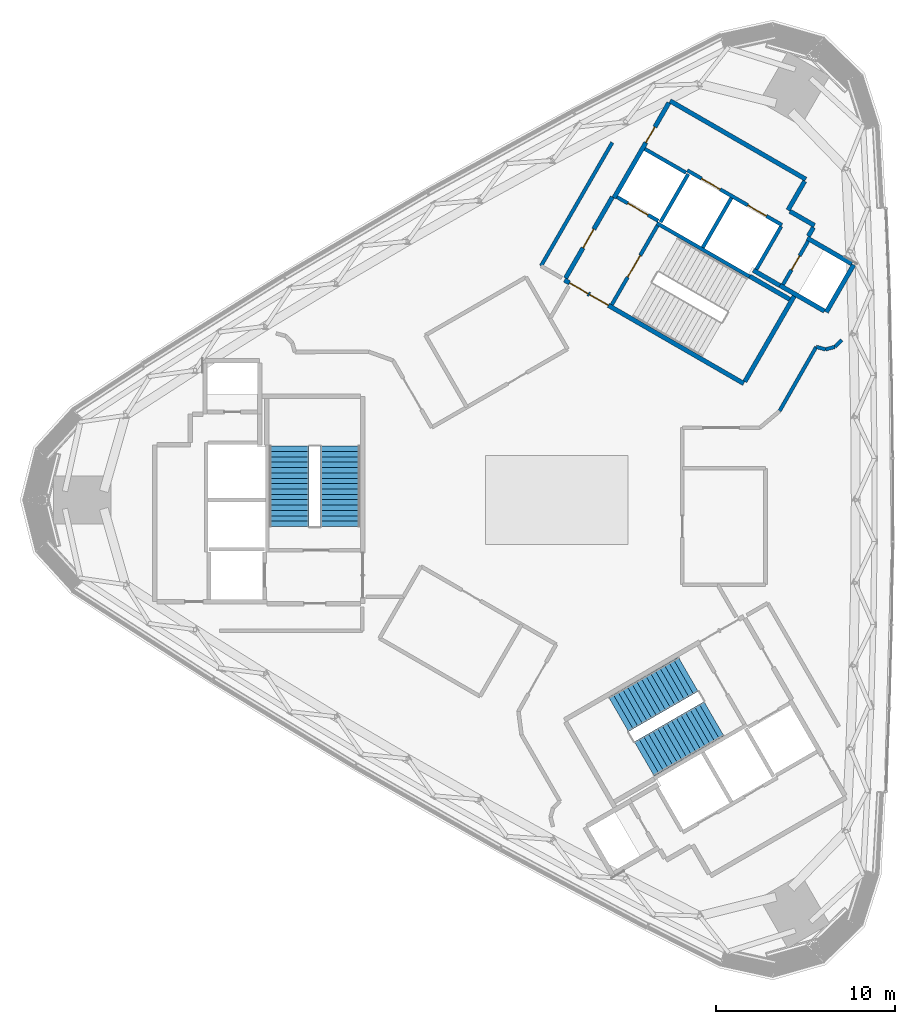
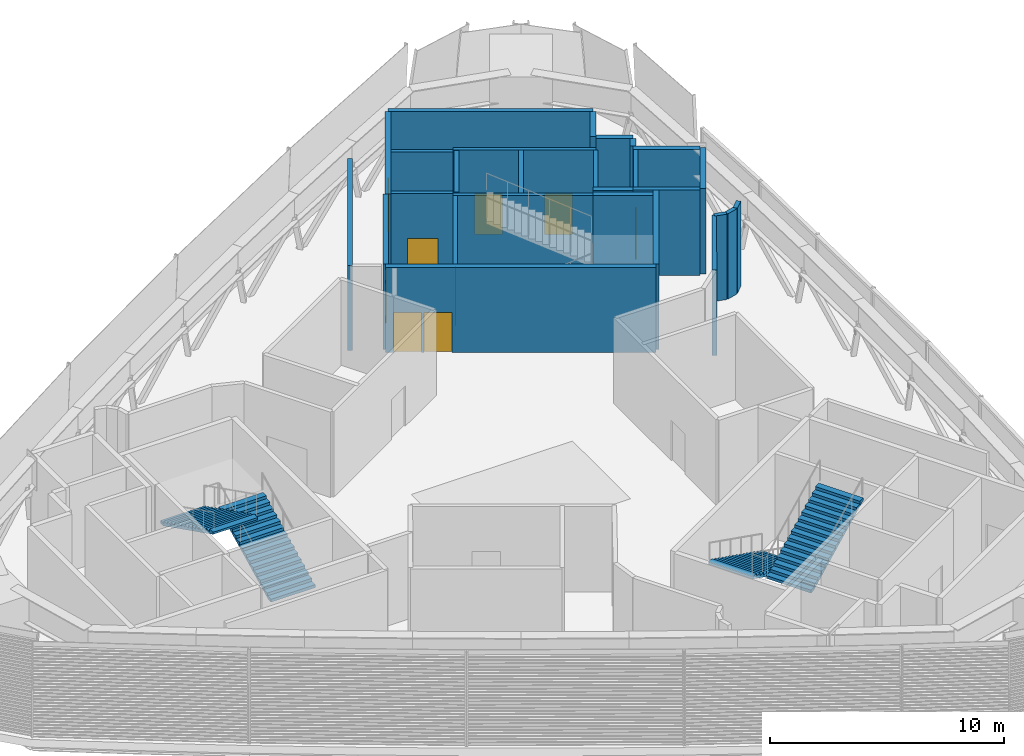
# One storey, part 13 of 18: 27 walls, 9 doors, 4 stair flights, 9 openings, 2 elements without a shape of their own.
"""IFC4 building model written with IfcOpenShell, lengths in metres."""

import ifcopenshell
import ifcopenshell.guid

model = None  # the IFC model being written
_history = None  # IfcOwnerHistory: only IFC2X3 demands one
_inside = {}  # id of a spatial element -> (the spatial element, [elements in it])
_under = {}  # id of a project, library or spatial element -> (it, [spatial elements below it])
_declared = {}  # id of a project -> (the project, [libraries it declares])
_typed = {}  # id of a type object -> (the type object, [elements of that type])
_made_of = {}  # id of a material, layer set ... -> (it, [elements and type objects made of it])


def new_model(schema):
    """Start an empty IFC model of exactly this schema.

    Asked for "IFC4X3", IfcOpenShell would pick the latest addendum, in which some entities
    have other attributes; the version numbers below select the first issue.
    IFC2X3 requires an IfcOwnerHistory on every rooted entity: one is made here for all.
    """
    global model, _history
    if schema == "IFC4X3":
        model = ifcopenshell.file(schema_version=(4, 3, 0, 0))
    else:
        model = ifcopenshell.file(schema=schema)
    _inside.clear()
    _under.clear()
    _declared.clear()
    _typed.clear()
    _made_of.clear()
    _history = None
    if model.schema == "IFC2X3":
        org = make("IfcOrganization", Name="unknown")
        user = make(
            "IfcPersonAndOrganization",
            ThePerson=make("IfcPerson", FamilyName="unknown"),
            TheOrganization=org,
        )
        app = make(
            "IfcApplication",
            ApplicationDeveloper=org,
            Version="unknown",
            ApplicationFullName="unknown",
            ApplicationIdentifier="unknown",
        )
        _history = make(
            "IfcOwnerHistory",
            OwningUser=user,
            OwningApplication=app,
            ChangeAction="ADDED",
            CreationDate=0,
        )
    return model


def make(cls, **values):
    """One entity of the class cls with the attributes given. An attribute that is None is left unset."""
    return model.create_entity(
        cls, **{name: value for name, value in values.items() if value is not None}
    )


def rooted(cls, **values):
    """An entity with a GlobalId (a new one), such as an element, a storey or a relation."""
    return make(cls, GlobalId=ifcopenshell.guid.new(), OwnerHistory=_history, **values)


def si_unit(unit_type, name, prefix=None):
    """IfcSIUnit, for example si_unit("LENGTHUNIT", "METRE", prefix="MILLI")."""
    return make("IfcSIUnit", UnitType=unit_type, Prefix=prefix, Name=name)


def assignment(units):
    """IfcUnitAssignment: the units of a project."""
    return None if units is None else make("IfcUnitAssignment", Units=units)


def point(xyz):
    """IfcCartesianPoint."""
    return None if xyz is None else make("IfcCartesianPoint", Coordinates=xyz)


def direction(xyz):
    """IfcDirection."""
    return None if xyz is None else make("IfcDirection", DirectionRatios=xyz)


def frame(location, z_axis=None, x_axis=None):
    """IfcAxis2Placement3D, a coordinate frame: its origin and axes. An axis left out is left unset."""
    return make(
        "IfcAxis2Placement3D",
        Location=point(location),
        Axis=direction(z_axis),
        RefDirection=direction(x_axis),
    )


def frame_2d(location, x_axis=None):
    """IfcAxis2Placement2D, a coordinate frame in the plane: its origin and x axis."""
    return make(
        "IfcAxis2Placement2D", Location=point(location), RefDirection=direction(x_axis)
    )


def origin():
    """The frame at (0, 0, 0) with its axes left unset."""
    return frame((0.0, 0.0, 0.0))


def place(relative_to, where):
    """IfcLocalPlacement: puts the frame where relative to a parent placement (None: the world)."""
    return make(
        "IfcLocalPlacement", PlacementRelTo=relative_to, RelativePlacement=where
    )


def context(
    kind, dimensions, precision=None, world=None, true_north=None, identifier=None
):
    """IfcGeometricRepresentationContext, for example the 3D "Model" context."""
    return make(
        "IfcGeometricRepresentationContext",
        ContextIdentifier=identifier,
        ContextType=kind,
        CoordinateSpaceDimension=dimensions,
        Precision=precision,
        WorldCoordinateSystem=world,
        TrueNorth=true_north,
    )


def subcontext(parent, identifier, kind, view, scale=None):
    """IfcGeometricRepresentationSubContext, for example "Body" below "Model"."""
    return make(
        "IfcGeometricRepresentationSubContext",
        ContextIdentifier=identifier,
        ContextType=kind,
        ParentContext=parent,
        TargetScale=scale,
        TargetView=view,
    )


def project(units=None, contexts=None):
    """IfcProject with its units and contexts."""
    return rooted(
        "IfcProject",
        Name="project",
        RepresentationContexts=contexts,
        UnitsInContext=assignment(units),
    )


def spatial(cls, under=None, at=None, **own):
    """A site, building, storey or space (cls), placed at a placement, below another one or the project."""
    s = rooted(cls, ObjectPlacement=at, **own)
    if under is not None:
        _under.setdefault(under.id(), (under, []))[1].append(s)
    return s


def polyline(points):
    """IfcPolyline through the points."""
    return make("IfcPolyline", Points=[point(p) for p in points])


def profile(cls, at=None, kind="AREA", **sizes):
    """A parametric profile (cls). Its sizes go by their IFC names, for example OverallWidth=200.0."""
    return make(cls, ProfileType=kind, Position=at, **sizes)


def rectangle(**sizes):
    """IfcRectangleProfileDef."""
    return profile("IfcRectangleProfileDef", **sizes)


def outline(outer, holes=None, kind="AREA"):
    """IfcArbitraryClosedProfileDef: a profile drawn as a closed curve; with holes, ...WithVoids."""
    if holes is None:
        return make("IfcArbitraryClosedProfileDef", ProfileType=kind, OuterCurve=outer)
    return make(
        "IfcArbitraryProfileDefWithVoids",
        ProfileType=kind,
        OuterCurve=outer,
        InnerCurves=holes,
    )


def extrude(swept, where, along, depth):
    """IfcExtrudedAreaSolid: the profile swept, set in the frame where, extruded along a direction by depth."""
    return make(
        "IfcExtrudedAreaSolid",
        SweptArea=swept,
        Position=where,
        ExtrudedDirection=direction(along),
        Depth=depth,
    )


def shape(context_of_items, identifier, shape_type, items):
    """IfcShapeRepresentation: the items that make up one representation, for example the "Body"."""
    return make(
        "IfcShapeRepresentation",
        ContextOfItems=context_of_items,
        RepresentationIdentifier=identifier,
        RepresentationType=shape_type,
        Items=items,
    )


def material(Name=None, Category=None):
    """IfcMaterial."""
    return make("IfcMaterial", Name=Name, Category=Category)


def layer(
    of_material, thickness, ventilated=None, Name=None, Category=None, Priority=None
):
    """IfcMaterialLayer: one layer of a wall or slab, of a material (None: an air gap)."""
    return make(
        "IfcMaterialLayer",
        Material=of_material,
        LayerThickness=thickness,
        IsVentilated=ventilated,
        Name=Name,
        Category=Category,
        Priority=Priority,
    )


def layer_set(layers, Name=None):
    """IfcMaterialLayerSet."""
    return make("IfcMaterialLayerSet", MaterialLayers=layers, LayerSetName=Name)


def made_of(thing, what):
    """Note that an element or type object is made of a material, layer set ...; save() writes the relation."""
    if what is not None:
        _made_of.setdefault(what.id(), (what, []))[1].append(thing)
    return thing


def type_object(cls, material=None, **own):
    """A type object (cls), such as IfcWallType, which elements share."""
    return made_of(rooted(cls, **own), material)


def element(
    cls,
    number,
    at=None,
    inside=None,
    cuts=None,
    type_object=None,
    material=None,
    context=None,
    identifier="Body",
    shape_type=None,
    held_by="IfcProductDefinitionShape",
    body=None,
    shapes=None,
    **own,
):
    """One element of the class cls, such as IfcWall. Its Tag is "e" and its number.

    at: its placement. inside: the storey or other place that contains it. cuts: it is an
    opening in that element (IfcRelVoidsElement). A single representation is given by context,
    identifier, shape_type and body (its items); several are given by shapes. held_by: the class
    of the entity that holds the representations. save() writes the other relations.
    """
    e = rooted(cls, Tag="e%d" % number, ObjectPlacement=at, **own)
    if body is not None:
        shapes = [shape(context, identifier, shape_type, body)]
    if shapes is not None:
        e.Representation = make(held_by, Representations=shapes)
    if inside is not None:
        _inside.setdefault(inside.id(), (inside, []))[1].append(e)
    if cuts is not None:
        rooted(
            "IfcRelVoidsElement", RelatingBuildingElement=cuts, RelatedOpeningElement=e
        )
    if type_object is not None:
        _typed.setdefault(type_object.id(), (type_object, []))[1].append(e)
    return made_of(e, material)


def fill(opening, filler):
    """IfcRelFillsElement: the door or window that sits in an opening."""
    return rooted(
        "IfcRelFillsElement",
        RelatingOpeningElement=opening,
        RelatedBuildingElement=filler,
    )


def aggregate(whole, parts):
    """IfcRelAggregates: a whole, such as a stair, and the parts it consists of."""
    return rooted("IfcRelAggregates", RelatingObject=whole, RelatedObjects=parts)


def save(model, path):
    """Write the relations noted so far, then the file.

    IfcRelAggregates (storeys below a building ...), IfcRelContainedInSpatialStructure (elements
    in a storey), IfcRelDefinesByType, IfcRelAssociatesMaterial and IfcRelDeclares: one each for
    every whole, place, type object, material and project.
    """
    for whole, parts in _under.values():
        aggregate(whole, parts)
    for where, things in _inside.values():
        rooted(
            "IfcRelContainedInSpatialStructure",
            RelatedElements=things,
            RelatingStructure=where,
        )
    for kind, things in _typed.values():
        rooted("IfcRelDefinesByType", RelatedObjects=things, RelatingType=kind)
    for what, things in _made_of.values():
        rooted("IfcRelAssociatesMaterial", RelatedObjects=things, RelatingMaterial=what)
    for by, libraries in _declared.values():
        rooted("IfcRelDeclares", RelatingContext=by, RelatedDefinitions=libraries)
    model.write(path)


model = new_model("IFC4")

# Units and contexts
model_context = context("Model", 3, precision=1e-05, world=origin(), true_north=direction((0.0, 1.0)))
body_context = subcontext(model_context, "Body", "Model", "MODEL_VIEW")
ifc_project = project(units=[si_unit("LENGTHUNIT", "METRE"), si_unit("AREAUNIT", "SQUARE_METRE"), si_unit("VOLUMEUNIT", "CUBIC_METRE"), si_unit("PLANEANGLEUNIT", "RADIAN"), si_unit("MASSUNIT", "GRAM", prefix="KILO")], contexts=[model_context])

# Site, building, storey
site_placement = place(None, origin())
site = spatial("IfcSite", under=ifc_project, at=site_placement, CompositionType="ELEMENT")
building_placement = place(site_placement, origin())
building = spatial("IfcBuilding", under=site, at=building_placement, Name="Tamra Quay Hotel Tower", CompositionType="ELEMENT")
storey_placement = place(building_placement, frame((0.0, 0.0, 211.60009765625)))
storey = spatial("IfcBuildingStorey", under=building, at=storey_placement, Name="L53", CompositionType="ELEMENT", Elevation=211.60009765625)

# Wall, openings, doors
ifc_material_1 = material(Name="Concrete M70", Category="concrete")
ifc_layer_1 = layer(ifc_material_1, 0.199951171875)
ifc_layer_set_1 = layer_set([ifc_layer_1], Name="Concrete M70 core wall 200")
wall_type_1 = type_object("IfcWallType", Name="Concrete M70 core wall 200", PredefinedType="SHEAR", material=ifc_layer_set_1)
wall_1_placement = place(storey_placement, frame((12.552490234375, 15.341552734375, 0.0), z_axis=(0.0, 0.0, 1.0), x_axis=(-0.866030299012, 0.499991521122, 0.0)))
wall_1 = element("IfcWall", 1, at=wall_1_placement, inside=storey, type_object=wall_type_1, Name="CW2", PredefinedType="SHEAR", context=body_context, shape_type="SweptSolid", body=[
    extrude(rectangle(XDim=6.10009765625, YDim=0.199951171875, at=frame_2d((3.050048828125, 0.0))), origin(), (0.0, 0.0, 1.0), 4.449951171875),
])
opening_1_placement = place(wall_1_placement, frame((1.0, 0.0, 0.0)))
opening_1 = element("IfcOpeningElement", 2, at=opening_1_placement, cuts=wall_1, Name="Opening LD", PredefinedType="OPENING", context=body_context, shape_type="SweptSolid", body=[
    extrude(rectangle(XDim=1.199951171875, YDim=2.10009765625, at=frame_2d((0.60009765625, 1.050048828125))), frame((0.0, 0.10986328125, 0.0), z_axis=(0.0, -1.0, 0.0), x_axis=(1.0, 0.0, 0.0)), (0.0, 0.0, 1.0), 0.219970703125),
])
opening_2_placement = place(wall_1_placement, frame((3.982177734375, 0.0, 0.0)))
opening_2 = element("IfcOpeningElement", 3, at=opening_2_placement, cuts=wall_1, Name="Opening LD", PredefinedType="OPENING", context=body_context, shape_type="SweptSolid", body=[
    extrude(rectangle(XDim=1.199951171875, YDim=2.10009765625, at=frame_2d((0.60009765625, 1.050048828125))), frame((0.0, 0.10986328125, 0.0), z_axis=(0.0, -1.0, 0.0), x_axis=(1.0, 0.0, 0.0)), (0.0, 0.0, 1.0), 0.219970703125),
])
ifc_material_2 = material(Name="Landing door LD 1200 double door sliding")
door_type_1 = type_object("IfcDoorType", Name="Landing door LD 1200 double door sliding", OperationType="DOUBLE_DOOR_SLIDING", PredefinedType="DOOR", material=ifc_material_2)
door_1_placement = place(opening_1_placement, origin())
door_1 = element("IfcDoor", 4, at=door_1_placement, inside=storey, type_object=door_type_1, Name="LD", OperationType="DOUBLE_DOOR_SLIDING", OverallHeight=2.10009765625, OverallWidth=1.199951171875, PredefinedType="DOOR", context=body_context, shape_type="SweptSolid", body=[
    extrude(rectangle(XDim=1.199951171875, YDim=2.10009765625, at=frame_2d((0.60009765625, 1.050048828125))), frame((0.0, 0.02490234375, 0.0), z_axis=(0.0, -1.0, 0.0), x_axis=(1.0, 0.0, 0.0)), (0.0, 0.0, 1.0), 0.050048828125),
])
fill(opening_1, door_1)
door_2_placement = place(opening_2_placement, origin())
door_2 = element("IfcDoor", 5, at=door_2_placement, inside=storey, type_object=door_type_1, Name="LD", OperationType="DOUBLE_DOOR_SLIDING", OverallHeight=2.10009765625, OverallWidth=1.199951171875, PredefinedType="DOOR", context=body_context, shape_type="SweptSolid", body=[
    extrude(rectangle(XDim=1.199951171875, YDim=2.10009765625, at=frame_2d((0.60009765625, 1.050048828125))), frame((0.0, 0.02490234375, 0.0), z_axis=(0.0, -1.0, 0.0), x_axis=(1.0, 0.0, 0.0)), (0.0, 0.0, 1.0), 0.050048828125),
])
fill(opening_2, door_2)

# Wall
wall_2_placement = place(storey_placement, frame((10.7431640625, 12.4599609375, 0.0), z_axis=(0.0, 0.0, 1.0), x_axis=(-0.866018848283, 0.500011354289, 0.0)))
element("IfcWall", 6, at=wall_2_placement, inside=storey, type_object=wall_type_1, Name="CW2", PredefinedType="SHEAR", context=body_context, shape_type="SweptSolid", body=[
    extrude(rectangle(XDim=5.973876953125, YDim=0.199951171875, at=frame_2d((2.98681640625, 0.0))), origin(), (0.0, 0.0, 1.0), 4.449951171875),
])

# Wall, opening, door
wall_3_placement = place(storey_placement, frame((3.056640625, 10.89453125, 0.0), z_axis=(0.0, 0.0, 1.0), x_axis=(0.500027839223, 0.866009330205, 0.0)))
wall_3 = element("IfcWall", 7, at=wall_3_placement, inside=storey, type_object=wall_type_1, Name="CW2", PredefinedType="SHEAR", context=body_context, shape_type="SweptSolid", body=[
    extrude(rectangle(XDim=5.097900390625, YDim=0.199951171875, at=frame_2d((2.548828125, 0.0))), origin(), (0.0, 0.0, 1.0), 4.449951171875),
])
opening_3_placement = place(wall_3_placement, frame((1.77392578125, 0.0, 0.0)))
opening_3 = element("IfcOpeningElement", 8, at=opening_3_placement, cuts=wall_3, Name="Opening FD2", PredefinedType="OPENING", context=body_context, shape_type="SweptSolid", body=[
    extrude(rectangle(XDim=1.39990234375, YDim=2.10009765625, at=frame_2d((0.699951171875, 1.050048828125))), frame((0.0, 0.10986328125, 0.0), z_axis=(0.0, -1.0, 0.0), x_axis=(1.0, 0.0, 0.0)), (0.0, 0.0, 1.0), 0.219970703125),
])
ifc_material_3 = material(Name="Core door FD2 1400x2100 LH")
door_type_2 = type_object("IfcDoorType", Name="Core door FD2 1400x2100 LH", OperationType="NOTDEFINED", PredefinedType="DOOR", material=ifc_material_3)
door_3_placement = place(opening_3_placement, origin())
door_3 = element("IfcDoor", 9, at=door_3_placement, inside=storey, type_object=door_type_2, Name="FD2", OperationType="SINGLE_SWING_LEFT", OverallHeight=2.10009765625, OverallWidth=1.39990234375, PredefinedType="DOOR", context=body_context, shape_type="SweptSolid", body=[
    extrude(rectangle(XDim=1.39990234375, YDim=2.10009765625, at=frame_2d((0.699951171875, 1.050048828125))), frame((0.0, 0.02490234375, 0.0), z_axis=(0.0, -1.0, 0.0), x_axis=(1.0, 0.0, 0.0)), (0.0, 0.0, 1.0), 0.050048828125),
])
fill(opening_3, door_3)

# Wall
wall_4_placement = place(storey_placement, frame((8.131591796875, 14.08447265625, 0.0), z_axis=(0.0, 0.0, 1.0), x_axis=(0.500030834389, 0.86600760081, 0.0)))
element("IfcWall", 10, at=wall_4_placement, inside=storey, type_object=wall_type_1, Name="CW2", PredefinedType="SHEAR", context=body_context, shape_type="SweptSolid", body=[
    extrude(rectangle(XDim=3.197998046875, YDim=0.199951171875, at=frame_2d((1.59912109375, 0.0))), origin(), (0.0, 0.0, 1.0), 4.449951171875),
])

# Wall, opening, door
wall_5_placement = place(storey_placement, frame((14.0078125, 14.442138671875, 0.0), z_axis=(0.0, 0.0, 1.0), x_axis=(-0.499986818241, -0.866033014143, 0.0)))
wall_5 = element("IfcWall", 11, at=wall_5_placement, inside=storey, type_object=wall_type_1, Name="CW2", PredefinedType="SHEAR", context=body_context, shape_type="SweptSolid", body=[
    extrude(rectangle(XDim=2.7978515625, YDim=0.199951171875, at=frame_2d((1.39892578125, 0.0))), origin(), (0.0, 0.0, 1.0), 4.449951171875),
])
opening_4_placement = place(wall_5_placement, frame((0.948974609375, 0.0, 0.0)))
opening_4 = element("IfcOpeningElement", 12, at=opening_4_placement, cuts=wall_5, Name="Opening D1", PredefinedType="OPENING", context=body_context, shape_type="SweptSolid", body=[
    extrude(rectangle(XDim=0.89990234375, YDim=2.10009765625, at=frame_2d((0.449951171875, 1.050048828125))), frame((0.0, 0.10986328125, 0.0), z_axis=(0.0, -1.0, 0.0), x_axis=(1.0, 0.0, 0.0)), (0.0, 0.0, 1.0), 0.219970703125),
])
ifc_material_4 = material(Name="Core door D1 900x2100 RH")
door_type_3 = type_object("IfcDoorType", Name="Core door D1 900x2100 RH", OperationType="NOTDEFINED", PredefinedType="DOOR", material=ifc_material_4)
door_4_placement = place(opening_4_placement, origin())
door_4 = element("IfcDoor", 13, at=door_4_placement, inside=storey, type_object=door_type_3, Name="D1", OperationType="SINGLE_SWING_RIGHT", OverallHeight=2.10009765625, OverallWidth=0.89990234375, PredefinedType="DOOR", context=body_context, shape_type="SweptSolid", body=[
    extrude(rectangle(XDim=0.89990234375, YDim=2.10009765625, at=frame_2d((0.449951171875, 1.050048828125))), frame((0.0, 0.02490234375, 0.0), z_axis=(0.0, -1.0, 0.0), x_axis=(1.0, 0.0, 0.0)), (0.0, 0.0, 1.0), 0.050048828125),
])
fill(opening_4, door_4)

# Walls
wall_6_placement = place(storey_placement, frame((12.50244140625, 15.2548828125, 0.0), z_axis=(0.0, 0.0, 1.0), x_axis=(-0.499965018551, -0.866045599391, 0.0)))
element("IfcWall", 14, at=wall_6_placement, inside=storey, type_object=wall_type_1, Name="CW2", PredefinedType="SHEAR", context=body_context, shape_type="SweptSolid", body=[
    extrude(rectangle(XDim=2.759033203125, YDim=0.199951171875, at=frame_2d((1.37939453125, 0.0))), origin(), (0.0, 0.0, 1.0), 4.449951171875),
])
wall_7_placement = place(storey_placement, frame((7.324462890625, 18.1865234375, 0.0), z_axis=(0.0, 0.0, 1.0), x_axis=(-0.499967891604, -0.866043940782, 0.0)))
element("IfcWall", 15, at=wall_7_placement, inside=storey, type_object=wall_type_1, Name="CW2", PredefinedType="SHEAR", context=body_context, shape_type="SweptSolid", body=[
    extrude(rectangle(XDim=3.099853515625, YDim=0.199951171875, at=frame_2d((1.5498046875, 0.0))), origin(), (0.0, 0.0, 1.0), 4.449951171875),
])

# Wall, opening, door
wall_8_placement = place(storey_placement, frame((5.646240234375, 15.575927734375, 0.0), z_axis=(0.0, 0.0, 1.0), x_axis=(-0.866018407898, 0.500012117035, 0.0)))
wall_8 = element("IfcWall", 16, at=wall_8_placement, inside=storey, type_object=wall_type_1, Name="CW2", PredefinedType="SHEAR", context=body_context, shape_type="SweptSolid", body=[
    extrude(rectangle(XDim=2.65087890625, YDim=0.199951171875, at=frame_2d((1.325439453125, 0.0))), origin(), (0.0, 0.0, 1.0), 4.449951171875),
])
opening_5_placement = place(wall_8_placement, frame((0.65185546875, 0.0, 0.0)))
opening_5 = element("IfcOpeningElement", 17, at=opening_5_placement, cuts=wall_8, Name="Opening LD", PredefinedType="OPENING", context=body_context, shape_type="SweptSolid", body=[
    extrude(rectangle(XDim=1.300048828125, YDim=2.10009765625, at=frame_2d((0.64990234375, 1.050048828125))), frame((0.0, 0.10986328125, 0.0), z_axis=(0.0, -1.0, 0.0), x_axis=(1.0, 0.0, 0.0)), (0.0, 0.0, 1.0), 0.219970703125),
])
ifc_material_5 = material(Name="Landing door LD 1300 sliding to left")
door_type_4 = type_object("IfcDoorType", Name="Landing door LD 1300 sliding to left", OperationType="NOTDEFINED", PredefinedType="DOOR", material=ifc_material_5)
door_5_placement = place(opening_5_placement, origin())
door_5 = element("IfcDoor", 18, at=door_5_placement, inside=storey, type_object=door_type_4, Name="LD", OperationType="SLIDING_TO_LEFT", OverallHeight=2.10009765625, OverallWidth=1.300048828125, PredefinedType="DOOR", context=body_context, shape_type="SweptSolid", body=[
    extrude(rectangle(XDim=1.300048828125, YDim=2.10009765625, at=frame_2d((0.64990234375, 1.050048828125))), frame((0.0, 0.02490234375, 0.0), z_axis=(0.0, -1.0, 0.0), x_axis=(1.0, 0.0, 0.0)), (0.0, 0.0, 1.0), 0.050048828125),
])
fill(opening_5, door_5)

# Wall
wall_9_placement = place(storey_placement, frame((7.1962890625, 18.260498046875, 0.0), z_axis=(0.0, 0.0, 1.0), x_axis=(-0.866018407898, 0.500012117035, 0.0)))
element("IfcWall", 19, at=wall_9_placement, inside=storey, type_object=wall_type_1, Name="CW2", PredefinedType="SHEAR", context=body_context, shape_type="SweptSolid", body=[
    extrude(rectangle(XDim=2.65087890625, YDim=0.199951171875, at=frame_2d((1.325439453125, 0.0))), origin(), (0.0, 0.0, 1.0), 4.449951171875),
])

# Wall, openings, doors
ifc_layer_2 = layer(ifc_material_1, 0.25)
ifc_layer_set_2 = layer_set([ifc_layer_2], Name="Concrete M70 core wall 250")
wall_type_2 = type_object("IfcWallType", Name="Concrete M70 core wall 250", PredefinedType="SHEAR", material=ifc_layer_set_2)
wall_10_placement = place(storey_placement, frame((10.419921875, 6.497802734375, 0.0), z_axis=(0.0, 0.0, 1.0), x_axis=(-0.866021906294, 0.500006057782, 0.0)))
wall_10 = element("IfcWall", 20, at=wall_10_placement, inside=storey, type_object=wall_type_2, Name="CW1", PredefinedType="SHEAR", context=body_context, shape_type="SweptSolid", body=[
    extrude(rectangle(XDim=11.550048828125, YDim=0.25, at=frame_2d((5.77490234375, 0.0))), origin(), (0.0, 0.0, 1.0), 4.449951171875),
])
opening_6_placement = place(wall_10_placement, frame((10.02490234375, 0.0, 0.0)))
opening_6 = element("IfcOpeningElement", 21, at=opening_6_placement, cuts=wall_10, Name="Opening FD1", PredefinedType="OPENING", context=body_context, shape_type="SweptSolid", body=[
    extrude(rectangle(XDim=1.199951171875, YDim=2.10009765625, at=frame_2d((0.60009765625, 1.050048828125))), frame((0.0, 0.135009765625, 0.0), z_axis=(0.0, -1.0, 0.0), x_axis=(1.0, 0.0, 0.0)), (0.0, 0.0, 1.0), 0.27001953125),
])
opening_7_placement = place(wall_10_placement, frame((8.724853515625, 0.0, 0.0)))
opening_7 = element("IfcOpeningElement", 22, at=opening_7_placement, cuts=wall_10, Name="Opening FD1", PredefinedType="OPENING", context=body_context, shape_type="SweptSolid", body=[
    extrude(rectangle(XDim=1.199951171875, YDim=2.10009765625, at=frame_2d((0.60009765625, 1.050048828125))), frame((0.0, 0.135009765625, 0.0), z_axis=(0.0, -1.0, 0.0), x_axis=(1.0, 0.0, 0.0)), (0.0, 0.0, 1.0), 0.27001953125),
])
ifc_material_6 = material(Name="Core door FD1 1200x2100 LH")
door_type_5 = type_object("IfcDoorType", Name="Core door FD1 1200x2100 LH", OperationType="NOTDEFINED", PredefinedType="DOOR", material=ifc_material_6)
door_6_placement = place(opening_6_placement, origin())
door_6 = element("IfcDoor", 23, at=door_6_placement, inside=storey, type_object=door_type_5, Name="FD1", OperationType="SINGLE_SWING_LEFT", OverallHeight=2.10009765625, OverallWidth=1.199951171875, PredefinedType="DOOR", context=body_context, shape_type="SweptSolid", body=[
    extrude(rectangle(XDim=1.199951171875, YDim=2.10009765625, at=frame_2d((0.60009765625, 1.050048828125))), frame((0.0, 0.02490234375, 0.0), z_axis=(0.0, -1.0, 0.0), x_axis=(1.0, 0.0, 0.0)), (0.0, 0.0, 1.0), 0.050048828125),
])
fill(opening_6, door_6)
ifc_material_7 = material(Name="Core door FD1 1200x2100 RH")
door_type_6 = type_object("IfcDoorType", Name="Core door FD1 1200x2100 RH", OperationType="NOTDEFINED", PredefinedType="DOOR", material=ifc_material_7)
door_7_placement = place(opening_7_placement, origin())
door_7 = element("IfcDoor", 24, at=door_7_placement, inside=storey, type_object=door_type_6, Name="FD1", OperationType="SINGLE_SWING_RIGHT", OverallHeight=2.10009765625, OverallWidth=1.199951171875, PredefinedType="DOOR", context=body_context, shape_type="SweptSolid", body=[
    extrude(rectangle(XDim=1.199951171875, YDim=2.10009765625, at=frame_2d((0.60009765625, 1.050048828125))), frame((0.0, 0.02490234375, 0.0), z_axis=(0.0, -1.0, 0.0), x_axis=(1.0, 0.0, 0.0)), (0.0, 0.0, 1.0), 0.050048828125),
])
fill(opening_7, door_7)

# Wall
wall_11_placement = place(storey_placement, frame((6.303955078125, 22.268798828125, 0.0), z_axis=(0.0, 0.0, 1.0), x_axis=(0.866022959057, -0.500004234368, 0.0)))
element("IfcWall", 25, at=wall_11_placement, inside=storey, type_object=wall_type_2, Name="CW1", PredefinedType="SHEAR", context=body_context, shape_type="SweptSolid", body=[
    extrude(rectangle(XDim=8.75, YDim=0.25, at=frame_2d((4.375, 0.0))), origin(), (0.0, 0.0, 1.0), 4.449951171875),
])

# Wall, opening, door
wall_12_placement = place(storey_placement, frame((3.178955078125, 16.856201171875, 0.0), z_axis=(0.0, 0.0, 1.0), x_axis=(0.500001955336, 0.866024274868, 0.0)))
wall_12 = element("IfcWall", 26, at=wall_12_placement, inside=storey, type_object=wall_type_2, Name="CW1", PredefinedType="SHEAR", context=body_context, shape_type="SweptSolid", body=[
    extrude(rectangle(XDim=6.12451171875, YDim=0.25, at=frame_2d((3.062255859375, 0.0))), origin(), (0.0, 0.0, 1.0), 4.449951171875),
])
opening_8_placement = place(wall_12_placement, frame((3.562744140625, 0.0, 0.0)))
opening_8 = element("IfcOpeningElement", 27, at=opening_8_placement, cuts=wall_12, Name="Opening FD3", PredefinedType="OPENING", context=body_context, shape_type="SweptSolid", body=[
    extrude(rectangle(XDim=1.0, YDim=2.10009765625, at=frame_2d((0.5, 1.050048828125))), frame((0.0, 0.135009765625, 0.0), z_axis=(0.0, -1.0, 0.0), x_axis=(1.0, 0.0, 0.0)), (0.0, 0.0, 1.0), 0.27001953125),
])
ifc_material_8 = material(Name="Core door FD3 1000x2100 LH")
door_type_7 = type_object("IfcDoorType", Name="Core door FD3 1000x2100 LH", OperationType="NOTDEFINED", PredefinedType="DOOR", material=ifc_material_8)
door_8_placement = place(opening_8_placement, origin())
door_8 = element("IfcDoor", 28, at=door_8_placement, inside=storey, type_object=door_type_7, Name="FD3", OperationType="SINGLE_SWING_LEFT", OverallHeight=2.10009765625, OverallWidth=1.0, PredefinedType="DOOR", context=body_context, shape_type="SweptSolid", body=[
    extrude(rectangle(XDim=1.0, YDim=2.10009765625, at=frame_2d((0.5, 1.050048828125))), frame((0.0, 0.02490234375, 0.0), z_axis=(0.0, -1.0, 0.0), x_axis=(1.0, 0.0, 0.0)), (0.0, 0.0, 1.0), 0.050048828125),
])
fill(opening_8, door_8)

wall_13_placement = place(storey_placement, frame((0.47998046875, 12.38134765625, 0.0), z_axis=(0.0, 0.0, 1.0), x_axis=(0.49999885962, 0.866026062182, 0.0)))
wall_13 = element("IfcWall", 29, at=wall_13_placement, inside=storey, type_object=wall_type_2, Name="CW1", PredefinedType="SHEAR", context=body_context, shape_type="SweptSolid", body=[
    extrude(rectangle(XDim=5.224609375, YDim=0.25, at=frame_2d((2.6123046875, 0.0))), origin(), (0.0, 0.0, 1.0), 4.449951171875),
])
opening_9_placement = place(wall_13_placement, frame((1.94970703125, 0.0, 0.0)))
opening_9 = element("IfcOpeningElement", 30, at=opening_9_placement, cuts=wall_13, Name="Opening D2", PredefinedType="OPENING", context=body_context, shape_type="SweptSolid", body=[
    extrude(rectangle(XDim=1.199951171875, YDim=2.10009765625, at=frame_2d((0.60009765625, 1.050048828125))), frame((0.0, 0.135009765625, 0.0), z_axis=(0.0, -1.0, 0.0), x_axis=(1.0, 0.0, 0.0)), (0.0, 0.0, 1.0), 0.27001953125),
])
ifc_material_9 = material(Name="Core door D2 1200x2100 RH")
door_type_8 = type_object("IfcDoorType", Name="Core door D2 1200x2100 RH", OperationType="NOTDEFINED", PredefinedType="DOOR", material=ifc_material_9)
door_9_placement = place(opening_9_placement, origin())
door_9 = element("IfcDoor", 31, at=door_9_placement, inside=storey, type_object=door_type_8, Name="D2", OperationType="SINGLE_SWING_RIGHT", OverallHeight=2.10009765625, OverallWidth=1.199951171875, PredefinedType="DOOR", context=body_context, shape_type="SweptSolid", body=[
    extrude(rectangle(XDim=1.199951171875, YDim=2.10009765625, at=frame_2d((0.60009765625, 1.050048828125))), frame((0.0, 0.02490234375, 0.0), z_axis=(0.0, -1.0, 0.0), x_axis=(1.0, 0.0, 0.0)), (0.0, 0.0, 1.0), 0.050048828125),
])
fill(opening_9, door_9)

# Walls
wall_14_placement = place(storey_placement, frame((13.237548828125, 11.3779296875, 0.0), z_axis=(0.0, 0.0, 1.0), x_axis=(-0.500008851346, -0.866020293397, 0.0)))
element("IfcWall", 32, at=wall_14_placement, inside=storey, type_object=wall_type_2, Name="CW1", PredefinedType="SHEAR", context=body_context, shape_type="SweptSolid", body=[
    extrude(rectangle(XDim=5.509765625, YDim=0.25, at=frame_2d((2.7548828125, 0.0))), origin(), (0.0, 0.0, 1.0), 4.449951171875),
])
wall_15_placement = place(storey_placement, frame((16.552001953125, 13.118896484375, 0.0), z_axis=(0.0, 0.0, 1.0), x_axis=(-0.499978833458, -0.866037623948, 0.0)))
element("IfcWall", 33, at=wall_15_placement, inside=storey, type_object=wall_type_2, Name="CW1", PredefinedType="SHEAR", context=body_context, shape_type="SweptSolid", body=[
    extrude(rectangle(XDim=3.050048828125, YDim=0.25, at=frame_2d((1.52490234375, 0.0))), origin(), (0.0, 0.0, 1.0), 4.449951171875),
])
wall_16_placement = place(storey_placement, frame((14.91845703125, 10.540283203125, 0.0), z_axis=(0.0, 0.0, 1.0), x_axis=(-0.866063538972, 0.499933942099, 0.0)))
element("IfcWall", 34, at=wall_16_placement, inside=storey, type_object=wall_type_2, Name="CW1", PredefinedType="SHEAR", context=body_context, shape_type="SweptSolid", body=[
    extrude(rectangle(XDim=2.86474609375, YDim=0.25, at=frame_2d((1.432373046875, 0.0))), origin(), (0.0, 0.0, 1.0), 4.449951171875),
])
wall_17_placement = place(storey_placement, frame((13.962646484375, 14.61376953125, 0.0), z_axis=(0.0, 0.0, 1.0), x_axis=(0.866042235819, -0.499970844928, 0.0)))
element("IfcWall", 35, at=wall_17_placement, inside=storey, type_object=wall_type_2, Name="CW1", PredefinedType="SHEAR", context=body_context, shape_type="SweptSolid", body=[
    extrude(rectangle(XDim=2.864501953125, YDim=0.25, at=frame_2d((1.43212890625, 0.0))), origin(), (0.0, 0.0, 1.0), 4.449951171875),
])
wall_18_placement = place(storey_placement, frame((10.756591796875, 12.481201171875, 0.0), z_axis=(0.0, 0.0, 1.0), x_axis=(0.866022940537, -0.500004266446, 0.0)))
element("IfcWall", 36, at=wall_18_placement, inside=storey, type_object=wall_type_2, Name="CW1", PredefinedType="SHEAR", context=body_context, shape_type="SweptSolid", body=[
    extrude(rectangle(XDim=2.57470703125, YDim=0.25, at=frame_2d((1.287353515625, 0.0))), origin(), (0.0, 0.0, 1.0), 4.449951171875),
])
wall_19_placement = place(storey_placement, frame((13.819091796875, 17.78515625, 0.0), z_axis=(0.0, 0.0, 1.0), x_axis=(-0.500039802285, -0.866002422705, 0.0)))
element("IfcWall", 37, at=wall_19_placement, inside=storey, type_object=wall_type_2, Name="CW1", PredefinedType="SHEAR", context=body_context, shape_type="SweptSolid", body=[
    extrude(rectangle(XDim=1.864501953125, YDim=0.25, at=frame_2d((0.93212890625, 0.0))), origin(), (0.0, 0.0, 1.0), 4.449951171875),
])
wall_20_placement = place(storey_placement, frame((12.4326171875, 11.9638671875, 0.0), z_axis=(0.0, 0.0, 1.0), x_axis=(-0.866038183914, 0.499977863513, 0.0)))
element("IfcWall", 38, at=wall_20_placement, inside=storey, type_object=wall_type_2, Name="CW1", PredefinedType="SHEAR", context=body_context, shape_type="SweptSolid", body=[
    extrude(rectangle(XDim=1.7099609375, YDim=0.25, at=frame_2d((0.85498046875, 0.0))), origin(), (0.0, 0.0, 1.0), 4.449951171875),
])
wall_21_placement = place(storey_placement, frame((12.995361328125, 16.107666015625, 0.0), z_axis=(0.0, 0.0, 1.0), x_axis=(0.866044474677, -0.49996696679, 0.0)))
element("IfcWall", 39, at=wall_21_placement, inside=storey, type_object=wall_type_2, Name="CW1", PredefinedType="SHEAR", context=body_context, shape_type="SweptSolid", body=[
    extrude(rectangle(XDim=1.58447265625, YDim=0.25, at=frame_2d((0.792236328125, 0.0))), origin(), (0.0, 0.0, 1.0), 4.449951171875),
])
wall_22_placement = place(storey_placement, frame((14.304931640625, 15.206787109375, 0.0), z_axis=(0.0, 0.0, 1.0), x_axis=(-0.499848422343, -0.866112899501, 0.0)))
element("IfcWall", 40, at=wall_22_placement, inside=storey, type_object=wall_type_2, Name="CW1", PredefinedType="SHEAR", context=body_context, shape_type="SweptSolid", body=[
    extrude(rectangle(XDim=0.559326171875, YDim=0.25, at=frame_2d((0.27978515625, 0.0))), origin(), (0.0, 0.0, 1.0), 4.449951171875),
])
ifc_material_10 = material(Name="Partition corridor wall")
ifc_layer_3 = layer(ifc_material_10, 0.199951171875)
ifc_layer_set_3 = layer_set([ifc_layer_3], Name="Partition corridor wall")
wall_type_3 = type_object("IfcWallType", Name="Partition corridor wall", PredefinedType="PARTITIONING", material=ifc_layer_set_3)
wall_23_placement = place(storey_placement, frame((-0.89111328125, 13.056884765625, 0.0), z_axis=(0.0, 0.0, 1.0), x_axis=(0.499972238474, 0.866041431316, 0.0)))
element("IfcWall", 41, at=wall_23_placement, inside=storey, type_object=wall_type_3, Name="W-C", PredefinedType="PARTITIONING", context=body_context, shape_type="SweptSolid", body=[
    extrude(rectangle(XDim=7.953125, YDim=0.199951171875, at=frame_2d((3.9765625, 0.0))), origin(), (0.0, 0.0, 1.0), 4.449951171875),
])
wall_24_placement = place(storey_placement, frame((12.416015625, 4.962890625, 0.0), z_axis=(0.0, 0.0, 1.0), x_axis=(0.496668044938, 0.867940581571, 0.0)))
element("IfcWall", 42, at=wall_24_placement, inside=storey, type_object=wall_type_3, Name="W-C", PredefinedType="PARTITIONING", context=body_context, shape_type="SweptSolid", body=[
    extrude(rectangle(XDim=4.123779296875, YDim=0.199951171875, at=frame_2d((2.06201171875, 0.0))), origin(), (0.0, 0.0, 1.0), 4.449951171875),
])
wall_25_placement = place(storey_placement, frame((14.464111328125, 8.5419921875, 0.0), z_axis=(0.0, 0.0, 1.0), x_axis=(0.965848396518, -0.259107844233, 0.0)))
element("IfcWall", 43, at=wall_25_placement, inside=storey, type_object=wall_type_3, Name="W-C", PredefinedType="PARTITIONING", context=body_context, shape_type="SweptSolid", body=[
    extrude(rectangle(XDim=0.5361328125, YDim=0.199951171875, at=frame_2d((0.26806640625, 0.0))), origin(), (0.0, 0.0, 1.0), 4.449951171875),
])
for number, where, z_axis, x_axis, name in (
    (44, (14.98193359375, 8.403076171875, 0.0), (0.0, 0.0, 1.0), (0.965911748822, 0.25887157721, 0.0), "W-C"),
    (45, (15.50390625, 8.54296875, 0.0), (0.0, 0.0, 1.0), (0.707106781187, 0.707106781187, 0.0), "W-C"),
):
    element("IfcWall", number, at=place(storey_placement, frame(where, z_axis=z_axis, x_axis=x_axis)), inside=storey, type_object=wall_type_3, Name=name, PredefinedType="PARTITIONING", context=body_context, shape_type="SweptSolid", body=[
        extrude(rectangle(XDim=0.540283203125, YDim=0.199951171875, at=frame_2d((0.27001953125, 0.0))), origin(), (0.0, 0.0, 1.0), 4.449951171875),
    ])

# Stair, stair flights
ifc_material_11 = material(Name="Exit stair 2200 32 risers 150.0 going 299")
stair_type = type_object("IfcStairType", Name="Exit stair 2200 32 risers 150.0 going 299", PredefinedType="HALF_TURN_STAIR", material=ifc_material_11)
stair_1_placement = place(storey_placement, origin())
stair_1 = element("IfcStair", 46, at=stair_1_placement, inside=storey, type_object=stair_type, Name="L53 Exit stair ST3", PredefinedType="HALF_TURN_STAIR")
ifc_material_12 = material(Name="Exit stair flight 2200 16 risers 150.0")
stair_flight_type = type_object("IfcStairFlightType", Name="Exit stair flight 2200 16 risers 150.0", PredefinedType="STRAIGHT", material=ifc_material_12)
stair_flight_1_placement = place(storey_placement, frame((-12.082275390625, -1.47998046875, 0.0), z_axis=(0.0, 0.0, 1.0), x_axis=(0.0, 1.0, 0.0)))
stair_flight_1 = element("IfcStairFlight", 47, at=stair_flight_1_placement, type_object=stair_flight_type, Name="ST3 flight 1", NumberOfRisers=16, NumberOfTreads=15, PredefinedType="STRAIGHT", RiserHeight=0.15, TreadLength=0.299, context=body_context, shape_type="SweptSolid", body=[
    extrude(outline(polyline([(0.0, 0.0), (0.0, 0.14990234375), (0.299072265625, 0.14990234375), (0.299072265625, 0.300048828125), (0.597900390625, 0.300048828125), (0.597900390625, 0.449951171875), (0.89697265625, 0.449951171875), (0.89697265625, 0.60009765625), (1.196044921875, 0.60009765625), (1.196044921875, 0.75), (1.4951171875, 0.75), (1.4951171875, 0.89990234375), (1.7939453125, 0.89990234375), (1.7939453125, 1.050048828125), (2.093017578125, 1.050048828125), (2.093017578125, 1.199951171875), (2.39208984375, 1.199951171875), (2.39208984375, 1.35009765625), (2.69091796875, 1.35009765625), (2.69091796875, 1.5), (2.989990234375, 1.5), (2.989990234375, 1.64990234375), (3.2890625, 1.64990234375), (3.2890625, 1.800048828125), (3.587890625, 1.800048828125), (3.587890625, 1.949951171875), (3.886962890625, 1.949951171875), (3.886962890625, 2.10009765625), (4.18603515625, 2.10009765625), (4.18603515625, 2.25), (4.485107421875, 2.25), (4.485107421875, 2.39990234375), (4.485107421875, 2.137939453125), (0.22314453125, 0.0), (0.0, 0.0)])), frame((0.0, 1.10009765625, 0.0), z_axis=(0.0, -1.0, 0.0), x_axis=(1.0, 0.0, 0.0)), (0.0, 0.0, 1.0), 2.199951171875),
])
stair_flight_2_placement = place(storey_placement, frame((-14.94140625, 3.0048828125, 2.39990234375), z_axis=(0.0, 0.0, 1.0), x_axis=(0.0, -1.0, 0.0)))
stair_flight_2 = element("IfcStairFlight", 48, at=stair_flight_2_placement, type_object=stair_flight_type, Name="ST3 flight 2", NumberOfRisers=16, NumberOfTreads=15, PredefinedType="STRAIGHT", RiserHeight=0.15, TreadLength=0.299, context=body_context, shape_type="SweptSolid", body=[
    extrude(outline(polyline([(0.0, 0.0), (0.0, 0.14990234375), (0.299072265625, 0.14990234375), (0.299072265625, 0.300048828125), (0.597900390625, 0.300048828125), (0.597900390625, 0.449951171875), (0.89697265625, 0.449951171875), (0.89697265625, 0.60009765625), (1.196044921875, 0.60009765625), (1.196044921875, 0.75), (1.4951171875, 0.75), (1.4951171875, 0.89990234375), (1.7939453125, 0.89990234375), (1.7939453125, 1.050048828125), (2.093017578125, 1.050048828125), (2.093017578125, 1.199951171875), (2.39208984375, 1.199951171875), (2.39208984375, 1.35009765625), (2.69091796875, 1.35009765625), (2.69091796875, 1.5), (2.989990234375, 1.5), (2.989990234375, 1.64990234375), (3.2890625, 1.64990234375), (3.2890625, 1.800048828125), (3.587890625, 1.800048828125), (3.587890625, 1.949951171875), (3.886962890625, 1.949951171875), (3.886962890625, 2.10009765625), (4.18603515625, 2.10009765625), (4.18603515625, 2.25), (4.485107421875, 2.25), (4.485107421875, 2.39990234375), (4.485107421875, 2.137939453125), (0.22314453125, 0.0), (0.0, 0.0)])), frame((0.0, 1.10009765625, 0.0), z_axis=(0.0, -1.0, 0.0), x_axis=(1.0, 0.0, 0.0)), (0.0, 0.0, 1.0), 2.199951171875),
])
aggregate(stair_1, [stair_flight_1, stair_flight_2])

stair_2_placement = place(storey_placement, origin())
stair_2 = element("IfcStair", 49, at=stair_2_placement, inside=storey, type_object=stair_type, Name="L53 Exit stair ST2", PredefinedType="HALF_TURN_STAIR")
stair_flight_3_placement = place(storey_placement, frame((7.322998046875, -9.7236328125, 0.0), z_axis=(0.0, 0.0, 1.0), x_axis=(-0.866025403784, -0.5, 0.0)))
stair_flight_3 = element("IfcStairFlight", 50, at=stair_flight_3_placement, type_object=stair_flight_type, Name="ST2 flight 1", NumberOfRisers=16, NumberOfTreads=15, PredefinedType="STRAIGHT", RiserHeight=0.15, TreadLength=0.299, context=body_context, shape_type="SweptSolid", body=[
    extrude(outline(polyline([(0.0, 0.0), (0.0, 0.14990234375), (0.299072265625, 0.14990234375), (0.299072265625, 0.300048828125), (0.597900390625, 0.300048828125), (0.597900390625, 0.449951171875), (0.89697265625, 0.449951171875), (0.89697265625, 0.60009765625), (1.196044921875, 0.60009765625), (1.196044921875, 0.75), (1.4951171875, 0.75), (1.4951171875, 0.89990234375), (1.7939453125, 0.89990234375), (1.7939453125, 1.050048828125), (2.093017578125, 1.050048828125), (2.093017578125, 1.199951171875), (2.39208984375, 1.199951171875), (2.39208984375, 1.35009765625), (2.69091796875, 1.35009765625), (2.69091796875, 1.5), (2.989990234375, 1.5), (2.989990234375, 1.64990234375), (3.2890625, 1.64990234375), (3.2890625, 1.800048828125), (3.587890625, 1.800048828125), (3.587890625, 1.949951171875), (3.886962890625, 1.949951171875), (3.886962890625, 2.10009765625), (4.18603515625, 2.10009765625), (4.18603515625, 2.25), (4.485107421875, 2.25), (4.485107421875, 2.39990234375), (4.485107421875, 2.137939453125), (0.22314453125, 0.0), (0.0, 0.0)])), frame((0.0, 1.10009765625, 0.0), z_axis=(0.0, -1.0, 0.0), x_axis=(1.0, 0.0, 0.0)), (0.0, 0.0, 1.0), 2.199951171875),
])
stair_flight_4_placement = place(storey_placement, frame((4.868408203125, -14.44189453125, 2.39990234375), z_axis=(0.0, 0.0, 1.0), x_axis=(0.866025403784, 0.5, 0.0)))
stair_flight_4 = element("IfcStairFlight", 51, at=stair_flight_4_placement, type_object=stair_flight_type, Name="ST2 flight 2", NumberOfRisers=16, NumberOfTreads=15, PredefinedType="STRAIGHT", RiserHeight=0.15, TreadLength=0.299, context=body_context, shape_type="SweptSolid", body=[
    extrude(outline(polyline([(0.0, 0.0), (0.0, 0.14990234375), (0.299072265625, 0.14990234375), (0.299072265625, 0.300048828125), (0.597900390625, 0.300048828125), (0.597900390625, 0.449951171875), (0.89697265625, 0.449951171875), (0.89697265625, 0.60009765625), (1.196044921875, 0.60009765625), (1.196044921875, 0.75), (1.4951171875, 0.75), (1.4951171875, 0.89990234375), (1.7939453125, 0.89990234375), (1.7939453125, 1.050048828125), (2.093017578125, 1.050048828125), (2.093017578125, 1.199951171875), (2.39208984375, 1.199951171875), (2.39208984375, 1.35009765625), (2.69091796875, 1.35009765625), (2.69091796875, 1.5), (2.989990234375, 1.5), (2.989990234375, 1.64990234375), (3.2890625, 1.64990234375), (3.2890625, 1.800048828125), (3.587890625, 1.800048828125), (3.587890625, 1.949951171875), (3.886962890625, 1.949951171875), (3.886962890625, 2.10009765625), (4.18603515625, 2.10009765625), (4.18603515625, 2.25), (4.485107421875, 2.25), (4.485107421875, 2.39990234375), (4.485107421875, 2.137939453125), (0.22314453125, 0.0), (0.0, 0.0)])), frame((0.0, 1.10009765625, 0.0), z_axis=(0.0, -1.0, 0.0), x_axis=(1.0, 0.0, 0.0)), (0.0, 0.0, 1.0), 2.199951171875),
])
aggregate(stair_2, [stair_flight_3, stair_flight_4])

save(model, "model.ifc")
